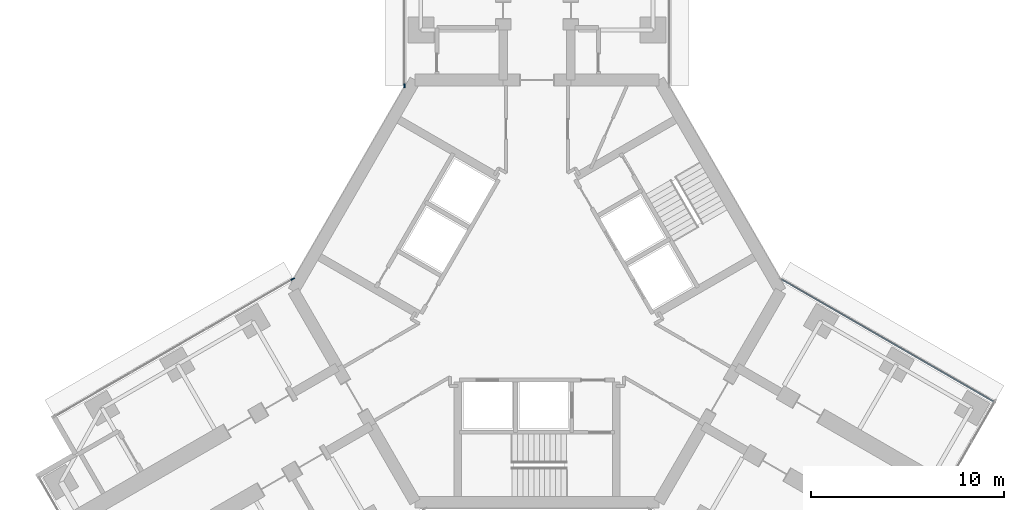
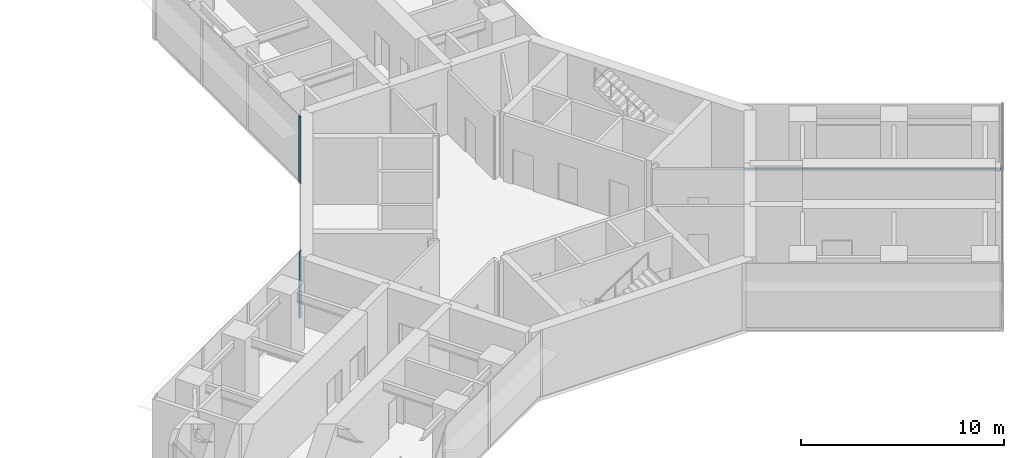
# One storey, part 9 of 21: 3 members, 3 elements without a shape of their own.
"""IFC4 building model written with IfcOpenShell, lengths in metres."""

from ifc_helpers import new_model, si_unit, direction, frame, origin, origin_2d, place, context, subcontext, project, spatial, rectangle, extrude, material, material_profile, profile_set, type_object, element, aggregate, save


model = new_model("IFC4")

# Units and contexts
model_context = context("Model", 3, precision=1e-05, world=origin(), true_north=direction((0.0, 1.0)))
body_context = subcontext(model_context, "Body", "Model", "MODEL_VIEW")
ifc_project = project(units=[si_unit("LENGTHUNIT", "METRE"), si_unit("AREAUNIT", "SQUARE_METRE"), si_unit("VOLUMEUNIT", "CUBIC_METRE"), si_unit("PLANEANGLEUNIT", "RADIAN"), si_unit("MASSUNIT", "GRAM", prefix="KILO")], contexts=[model_context])

# Site, building, storey
site_placement = place(None, origin())
site = spatial("IfcSite", under=ifc_project, at=site_placement, CompositionType="ELEMENT")
building_placement = place(site_placement, origin())
building = spatial("IfcBuilding", under=site, at=building_placement, Name="Upepo Twin Towers", CompositionType="ELEMENT")
storey_placement = place(building_placement, frame((0.0, 0.0, 105.5)))
storey = spatial("IfcBuildingStorey", under=building, at=storey_placement, Name="L25", CompositionType="ELEMENT", Elevation=105.5)

# Curtain wall, member
ifc_material_1 = material(Name="Aluminium and fritted glass", Category="aluminium")
curtain_wall_type = type_object("IfcCurtainWallType", Name="Tower curtain wall TW2, fritted glass", PredefinedType="NOTDEFINED", material=ifc_material_1)
curtain_wall_1_placement = place(storey_placement, origin())
curtain_wall_1 = element("IfcCurtainWall", 1, at=curtain_wall_1_placement, inside=storey, type_object=curtain_wall_type, Name="T2 L25 wing A flank L curtain wall", PredefinedType="NOTDEFINED")
ifc_material_2 = material(Name="Aluminium mullion", Category="aluminium")
ifc_material_profile_1 = material_profile(ifc_material_2, rectangle(XDim=0.06494140625, YDim=0.199951171875, at=origin_2d()), Name="MULLION 65x200")
ifc_profile_set_1 = profile_set([ifc_material_profile_1], Name="Aluminium mullion")
member_type_1 = type_object("IfcMemberType", Name="Mullion 65x200 TW2", PredefinedType="MULLION", material=ifc_profile_set_1)
member_1_placement = place(storey_placement, frame((51.64990234375, -7.38037109375, 0.0), z_axis=(0.0, 0.0, 1.0), x_axis=(-1.0, 0.0, 0.0)))
member_1 = element("IfcMember", 2, at=member_1_placement, type_object=member_type_1, Name="T2 L25 wing A flank L curtain wall mullion 1", PredefinedType="MULLION", context=body_context, shape_type="SweptSolid", body=[
    extrude(rectangle(XDim=0.06494140625, YDim=0.199951171875, at=origin_2d()), origin(), (0.0, 0.0, 1.0), 4.0),
])
aggregate(curtain_wall_1, [member_1])

curtain_wall_2_placement = place(storey_placement, origin())
curtain_wall_2 = element("IfcCurtainWall", 3, at=curtain_wall_2_placement, inside=storey, type_object=curtain_wall_type, Name="T2 L25 wing B flank R curtain wall", PredefinedType="NOTDEFINED")
member_2_placement = place(storey_placement, frame((45.878173828125, -17.37744140625, 0.0), z_axis=(0.0, 0.0, 1.0), x_axis=(-0.500000010308, 0.866025397833, 0.0)))
member_2 = element("IfcMember", 4, at=member_2_placement, type_object=member_type_1, Name="T2 L25 wing B flank R curtain wall mullion 4", PredefinedType="MULLION", context=body_context, shape_type="SweptSolid", body=[
    extrude(rectangle(XDim=0.06494140625, YDim=0.199951171875, at=origin_2d()), origin(), (0.0, 0.0, 1.0), 4.0),
])
aggregate(curtain_wall_2, [member_2])

curtain_wall_3_placement = place(storey_placement, origin())
curtain_wall_3 = element("IfcCurtainWall", 5, at=curtain_wall_3_placement, inside=storey, type_object=curtain_wall_type, Name="T2 L25 wing C flank L curtain wall", PredefinedType="NOTDEFINED")
ifc_material_3 = material(Name="Aluminium transom", Category="aluminium")
ifc_material_profile_2 = material_profile(ifc_material_3, rectangle(XDim=0.06494140625, YDim=0.14990234375, at=origin_2d()), Name="TRANSOM 65x150")
ifc_profile_set_2 = profile_set([ifc_material_profile_2], Name="Aluminium transom")
member_type_2 = type_object("IfcMemberType", Name="Transom 65x150 TW2", PredefinedType="USERDEFINED", material=ifc_profile_set_2)
member_3_placement = place(storey_placement, frame((71.14990234375, -17.393798828125, 0.074951171875), z_axis=(0.866027247007, -0.499996807431, 0.0), x_axis=(0.499996807431, 0.866027247007, 0.0)))
member_3 = element("IfcMember", 6, at=member_3_placement, type_object=member_type_2, Name="T2 L25 wing C flank L curtain wall transom 1", ObjectType="TRANSOM", PredefinedType="USERDEFINED", context=body_context, shape_type="SweptSolid", body=[
    extrude(rectangle(XDim=0.06494140625, YDim=0.14990234375, at=origin_2d()), origin(), (0.0, 0.0, 1.0), 12.6328125),
])
aggregate(curtain_wall_3, [member_3])

save(model, "model.ifc")
